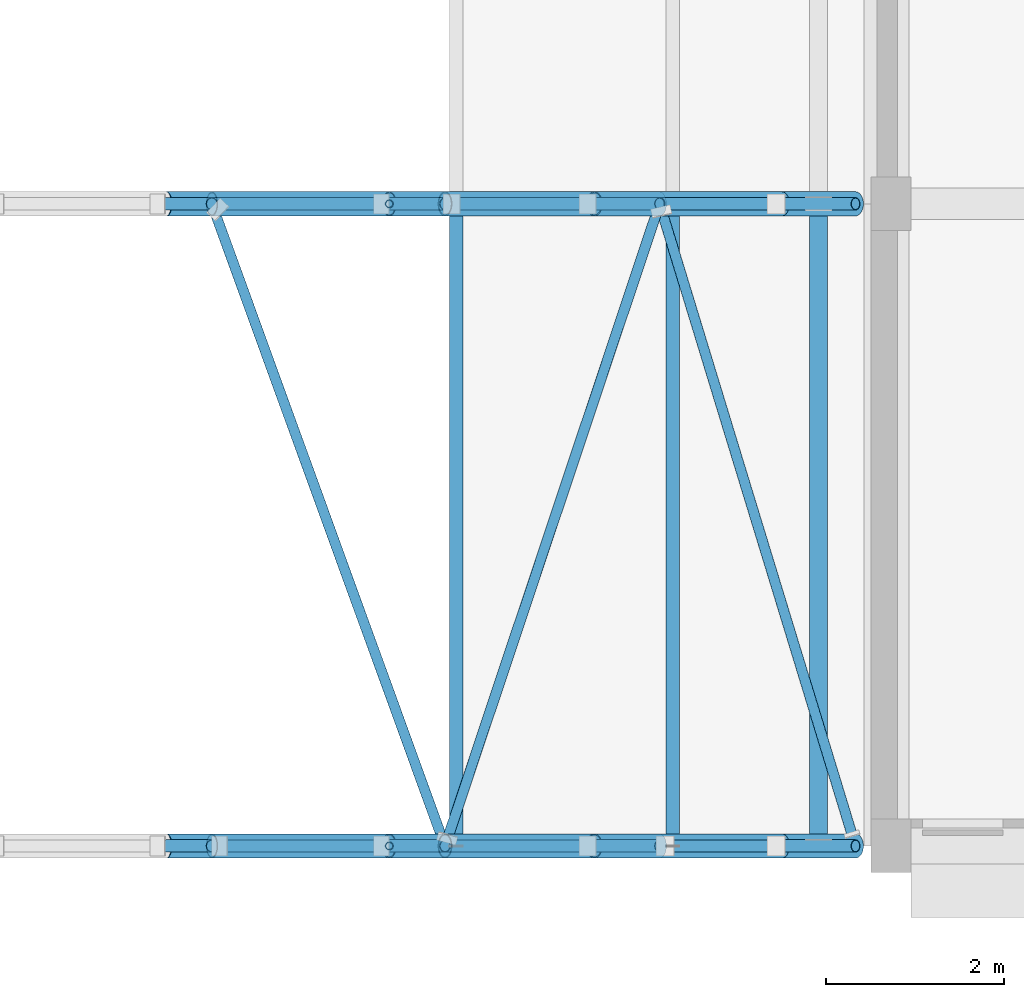
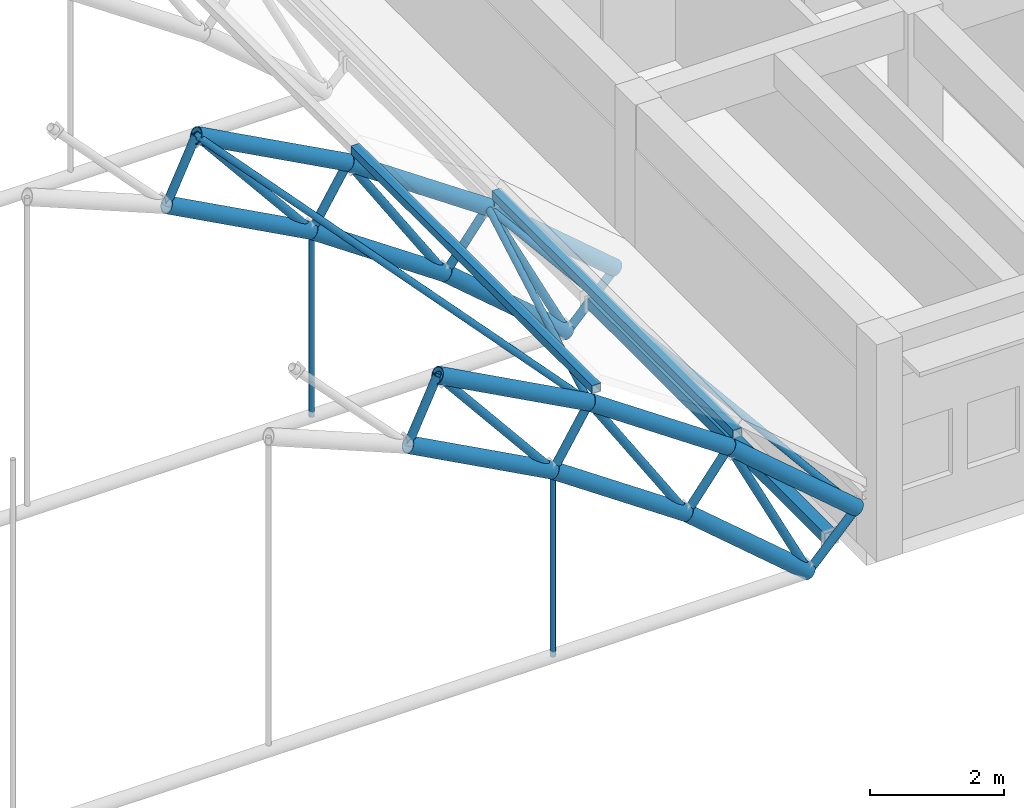
# One storey, part 19 of 101: 34 members.
"""IFC4 building model written with IfcOpenShell, lengths in metres."""

from ifc_helpers import new_model, si_unit, direction, frame, origin, origin_2d, place, context, subcontext, project, spatial, hollow_rectangle, hollow_circle, extrude, material, material_profile, profile_set, type_object, element, save


model = new_model("IFC4")

# Units and contexts
model_context = context("Model", 3, precision=1e-05, world=origin(), true_north=direction((0.0, 1.0)))
body_context = subcontext(model_context, "Body", "Model", "MODEL_VIEW")
ifc_project = project(units=[si_unit("LENGTHUNIT", "METRE"), si_unit("AREAUNIT", "SQUARE_METRE"), si_unit("VOLUMEUNIT", "CUBIC_METRE"), si_unit("PLANEANGLEUNIT", "RADIAN"), si_unit("MASSUNIT", "GRAM", prefix="KILO")], contexts=[model_context])

# Site, building, storey
site_placement = place(None, origin())
site = spatial("IfcSite", under=ifc_project, at=site_placement, CompositionType="ELEMENT")
building_placement = place(site_placement, origin())
building = spatial("IfcBuilding", under=site, at=building_placement, Name="Laocheng Heights Fire and Rescue Headquarters", CompositionType="ELEMENT")
storey_placement = place(building_placement, frame((0.0, 0.0, 8.39990234375)))
storey = spatial("IfcBuildingStorey", under=building, at=storey_placement, Name="L02", CompositionType="ELEMENT", Elevation=8.39990234375)

# Members
ifc_material_1 = material(Name="Steel Q355B", Category="steel")
ifc_material_profile_1 = material_profile(ifc_material_1, hollow_circle(Radius=0.05712890625, WallThickness=0.0048828125, at=origin_2d()), Name="CHS 114.3x5")
ifc_profile_set_1 = profile_set([ifc_material_profile_1], Name="Steel Q355B")
member_type_1 = type_object("IfcMemberType", Name="BAY ROOF BRACE CHS 114.3x5", PredefinedType="BRACE", material=ifc_profile_set_1)
member_1_placement = place(storey_placement, frame((50.22509765625, 0.0, 4.401123046875), z_axis=(-0.335760309124, 0.924461513992, 0.180654155679), x_axis=(-0.939926422139, -0.341377094962, 0.0)))
element("IfcMember", 1, at=member_1_placement, inside=storey, type_object=member_type_1, Name="Roof brace A-B panel 14", PredefinedType="BRACE", context=body_context, shape_type="SweptSolid", body=[
    extrude(hollow_circle(Radius=0.05712890625, WallThickness=0.0048828125, at=origin_2d()), origin(), (0.0, 0.0, 1.0), 7.788330078125),
])
member_2_placement = place(storey_placement, frame((50.22509765625, 0.0, 4.401123046875), z_axis=(0.309692523048, 0.926752125541, -0.212652390002), x_axis=(-0.948445041758, 0.316941639366, 0.0)))
element("IfcMember", 2, at=member_2_placement, inside=storey, type_object=member_type_1, Name="Roof brace A-B panel 15", PredefinedType="BRACE", context=body_context, shape_type="SweptSolid", body=[
    extrude(hollow_circle(Radius=0.05712890625, WallThickness=0.0048828125, at=origin_2d()), origin(), (0.0, 0.0, 1.0), 7.76904296875),
])
member_3_placement = place(storey_placement, frame((54.827880859375, 0.0, 0.869140625), z_axis=(-0.283133389877, 0.927971415967, 0.242290186936), x_axis=(-0.956470579112, -0.291828770501, 0.0)))
element("IfcMember", 3, at=member_3_placement, inside=storey, type_object=member_type_1, Name="Roof brace A-B panel 16", PredefinedType="BRACE", context=body_context, shape_type="SweptSolid", body=[
    extrude(hollow_circle(Radius=0.05712890625, WallThickness=0.0048828125, at=origin_2d()), origin(), (0.0, 0.0, 1.0), 7.7587890625),
])
ifc_material_2 = material(Name="Steel Q355B", Category="steel")
ifc_material_profile_2 = material_profile(ifc_material_2, hollow_circle(Radius=0.136474609375, WallThickness=0.011962890625, at=origin_2d()), Name="CHS 273x12")
ifc_profile_set_2 = profile_set([ifc_material_profile_2], Name="Steel Q355B")
member_type_2 = type_object("IfcMemberType", Name="BAY ROOF CHORD CHS 273x12", PredefinedType="CHORD", material=ifc_profile_set_2)
member_4_placement = place(storey_placement, frame((47.610107421875, 0.0, 5.80810546875), z_axis=(0.880624173368, 0.0, -0.473815433771), x_axis=(0.0, 1.0, 0.0)))
element("IfcMember", 4, at=member_4_placement, inside=storey, type_object=member_type_2, Name="Truss TR1 upper chord 14", PredefinedType="CHORD", context=body_context, shape_type="SweptSolid", body=[
    extrude(hollow_circle(Radius=0.136474609375, WallThickness=0.011962890625, at=origin_2d()), origin(), (0.0, 0.0, 1.0), 2.969482421875),
])
member_5_placement = place(storey_placement, frame((50.22509765625, 0.0, 4.401123046875), z_axis=(0.824366402467, 0.0, -0.566056564738), x_axis=(0.0, 1.0, 0.0)))
element("IfcMember", 5, at=member_5_placement, inside=storey, type_object=member_type_2, Name="Truss TR1 upper chord 15", PredefinedType="CHORD", context=body_context, shape_type="SweptSolid", body=[
    extrude(hollow_circle(Radius=0.136474609375, WallThickness=0.011962890625, at=origin_2d()), origin(), (0.0, 0.0, 1.0), 2.918701171875),
])
member_6_placement = place(storey_placement, frame((52.631103515625, 0.0, 2.7490234375), z_axis=(0.759780870103, 0.0, -0.650179228694), x_axis=(0.0, 1.0, 0.0)))
element("IfcMember", 6, at=member_6_placement, inside=storey, type_object=member_type_2, Name="Truss TR1 upper chord 16", PredefinedType="CHORD", context=body_context, shape_type="SweptSolid", body=[
    extrude(hollow_circle(Radius=0.136474609375, WallThickness=0.011962890625, at=origin_2d()), origin(), (0.0, 0.0, 1.0), 2.891357421875),
])
member_7_placement = place(storey_placement, frame((47.10009765625, 0.0, 4.72216796875), z_axis=(0.880645014109, 0.0, -0.473776697532), x_axis=(0.0, 1.0, 0.0)))
element("IfcMember", 7, at=member_7_placement, inside=storey, type_object=member_type_2, Name="Truss TR1 lower chord 14", PredefinedType="CHORD", context=body_context, shape_type="SweptSolid", body=[
    extrude(hollow_circle(Radius=0.136474609375, WallThickness=0.011962890625, at=origin_2d()), origin(), (0.0, 0.0, 1.0), 2.8388671875),
])
member_8_placement = place(storey_placement, frame((49.60009765625, 0.0, 3.377197265625), z_axis=(0.824378833686, 0.0, -0.566038460327), x_axis=(0.0, 1.0, 0.0)))
element("IfcMember", 8, at=member_8_placement, inside=storey, type_object=member_type_2, Name="Truss TR1 lower chord 15", PredefinedType="CHORD", context=body_context, shape_type="SweptSolid", body=[
    extrude(hollow_circle(Radius=0.136474609375, WallThickness=0.011962890625, at=origin_2d()), origin(), (0.0, 0.0, 1.0), 2.789794921875),
])
member_9_placement = place(storey_placement, frame((51.89990234375, 0.0, 1.798095703125), z_axis=(0.759611792673, 0.0, -0.650376755759), x_axis=(0.0, 1.0, 0.0)))
element("IfcMember", 9, at=member_9_placement, inside=storey, type_object=member_type_2, Name="Truss TR1 lower chord 16", PredefinedType="CHORD", context=body_context, shape_type="SweptSolid", body=[
    extrude(hollow_circle(Radius=0.136474609375, WallThickness=0.011962890625, at=origin_2d()), origin(), (0.0, 0.0, 1.0), 2.7646484375),
])
member_10_placement = place(storey_placement, frame((47.610107421875, 7.199951171875, 5.80810546875), z_axis=(0.880624173368, 0.0, -0.473815433771), x_axis=(0.0, 1.0, 0.0)))
element("IfcMember", 10, at=member_10_placement, inside=storey, type_object=member_type_2, Name="Truss TR2 upper chord 14", PredefinedType="CHORD", context=body_context, shape_type="SweptSolid", body=[
    extrude(hollow_circle(Radius=0.136474609375, WallThickness=0.011962890625, at=origin_2d()), origin(), (0.0, 0.0, 1.0), 2.969482421875),
])
member_11_placement = place(storey_placement, frame((50.22509765625, 7.199951171875, 4.401123046875), z_axis=(0.824366402467, 0.0, -0.566056564738), x_axis=(0.0, 1.0, 0.0)))
element("IfcMember", 11, at=member_11_placement, inside=storey, type_object=member_type_2, Name="Truss TR2 upper chord 15", PredefinedType="CHORD", context=body_context, shape_type="SweptSolid", body=[
    extrude(hollow_circle(Radius=0.136474609375, WallThickness=0.011962890625, at=origin_2d()), origin(), (0.0, 0.0, 1.0), 2.918701171875),
])
member_12_placement = place(storey_placement, frame((52.631103515625, 7.199951171875, 2.7490234375), z_axis=(0.759780870103, 0.0, -0.650179228694), x_axis=(0.0, 1.0, 0.0)))
element("IfcMember", 12, at=member_12_placement, inside=storey, type_object=member_type_2, Name="Truss TR2 upper chord 16", PredefinedType="CHORD", context=body_context, shape_type="SweptSolid", body=[
    extrude(hollow_circle(Radius=0.136474609375, WallThickness=0.011962890625, at=origin_2d()), origin(), (0.0, 0.0, 1.0), 2.891357421875),
])
member_13_placement = place(storey_placement, frame((47.10009765625, 7.199951171875, 4.72216796875), z_axis=(0.880645014109, 0.0, -0.473776697532), x_axis=(0.0, 1.0, 0.0)))
element("IfcMember", 13, at=member_13_placement, inside=storey, type_object=member_type_2, Name="Truss TR2 lower chord 14", PredefinedType="CHORD", context=body_context, shape_type="SweptSolid", body=[
    extrude(hollow_circle(Radius=0.136474609375, WallThickness=0.011962890625, at=origin_2d()), origin(), (0.0, 0.0, 1.0), 2.8388671875),
])
member_14_placement = place(storey_placement, frame((49.60009765625, 7.199951171875, 3.377197265625), z_axis=(0.824378833686, 0.0, -0.566038460327), x_axis=(0.0, 1.0, 0.0)))
element("IfcMember", 14, at=member_14_placement, inside=storey, type_object=member_type_2, Name="Truss TR2 lower chord 15", PredefinedType="CHORD", context=body_context, shape_type="SweptSolid", body=[
    extrude(hollow_circle(Radius=0.136474609375, WallThickness=0.011962890625, at=origin_2d()), origin(), (0.0, 0.0, 1.0), 2.789794921875),
])
member_15_placement = place(storey_placement, frame((51.89990234375, 7.199951171875, 1.798095703125), z_axis=(0.759611792673, 0.0, -0.650376755759), x_axis=(0.0, 1.0, 0.0)))
element("IfcMember", 15, at=member_15_placement, inside=storey, type_object=member_type_2, Name="Truss TR2 lower chord 16", PredefinedType="CHORD", context=body_context, shape_type="SweptSolid", body=[
    extrude(hollow_circle(Radius=0.136474609375, WallThickness=0.011962890625, at=origin_2d()), origin(), (0.0, 0.0, 1.0), 2.7646484375),
])
ifc_material_3 = material(Name="Steel Q355B", Category="steel")
ifc_material_profile_3 = material_profile(ifc_material_3, hollow_circle(Radius=0.06982421875, WallThickness=0.006103515625, at=origin_2d()), Name="CHS 139.7x6")
ifc_profile_set_3 = profile_set([ifc_material_profile_3], Name="Steel Q355B")
member_type_3 = type_object("IfcMemberType", Name="BAY ROOF DIAG CHS 139.7x6", PredefinedType="BRACE", material=ifc_profile_set_3)
member_16_placement = place(storey_placement, frame((49.60009765625, 0.0, 3.377197265625), z_axis=(-0.633440900174, 0.0, 0.773791073861), x_axis=(0.0, -1.0, 0.0)))
element("IfcMember", 16, at=member_16_placement, inside=storey, type_object=member_type_3, Name="Truss diagonal TR1-14", PredefinedType="BRACE", context=body_context, shape_type="SweptSolid", body=[
    extrude(hollow_circle(Radius=0.06982421875, WallThickness=0.006103515625, at=origin_2d()), origin(), (0.0, 0.0, 1.0), 3.1416015625),
])
member_17_placement = place(storey_placement, frame((51.89990234375, 0.0, 1.798095703125), z_axis=(-0.541084441546, 0.0, 0.840968267604), x_axis=(0.0, -1.0, 0.0)))
element("IfcMember", 17, at=member_17_placement, inside=storey, type_object=member_type_3, Name="Truss diagonal TR1-15", PredefinedType="BRACE", context=body_context, shape_type="SweptSolid", body=[
    extrude(hollow_circle(Radius=0.06982421875, WallThickness=0.006103515625, at=origin_2d()), origin(), (0.0, 0.0, 1.0), 3.09521484375),
])
member_18_placement = place(storey_placement, frame((54.0, 0.0, 0.0), z_axis=(-0.445750218044, 0.0, 0.89515738455), x_axis=(0.0, -1.0, 0.0)))
element("IfcMember", 18, at=member_18_placement, inside=storey, type_object=member_type_3, Name="Truss diagonal TR1-16", PredefinedType="BRACE", context=body_context, shape_type="SweptSolid", body=[
    extrude(hollow_circle(Radius=0.06982421875, WallThickness=0.006103515625, at=origin_2d()), origin(), (0.0, 0.0, 1.0), 3.071044921875),
])
member_19_placement = place(storey_placement, frame((49.60009765625, 7.199951171875, 3.377197265625), z_axis=(-0.633440900174, 0.0, 0.773791073861), x_axis=(0.0, -1.0, 0.0)))
element("IfcMember", 19, at=member_19_placement, inside=storey, type_object=member_type_3, Name="Truss diagonal TR2-14", PredefinedType="BRACE", context=body_context, shape_type="SweptSolid", body=[
    extrude(hollow_circle(Radius=0.06982421875, WallThickness=0.006103515625, at=origin_2d()), origin(), (0.0, 0.0, 1.0), 3.1416015625),
])
member_20_placement = place(storey_placement, frame((51.89990234375, 7.199951171875, 1.798095703125), z_axis=(-0.541084441546, 0.0, 0.840968267604), x_axis=(0.0, -1.0, 0.0)))
element("IfcMember", 20, at=member_20_placement, inside=storey, type_object=member_type_3, Name="Truss diagonal TR2-15", PredefinedType="BRACE", context=body_context, shape_type="SweptSolid", body=[
    extrude(hollow_circle(Radius=0.06982421875, WallThickness=0.006103515625, at=origin_2d()), origin(), (0.0, 0.0, 1.0), 3.09521484375),
])
member_21_placement = place(storey_placement, frame((54.0, 7.199951171875, 0.0), z_axis=(-0.445750218044, 0.0, 0.89515738455), x_axis=(0.0, -1.0, 0.0)))
element("IfcMember", 21, at=member_21_placement, inside=storey, type_object=member_type_3, Name="Truss diagonal TR2-16", PredefinedType="BRACE", context=body_context, shape_type="SweptSolid", body=[
    extrude(hollow_circle(Radius=0.06982421875, WallThickness=0.006103515625, at=origin_2d()), origin(), (0.0, 0.0, 1.0), 3.071044921875),
])
ifc_material_4 = material(Name="Steel Q355B", Category="steel")
ifc_material_profile_4 = material_profile(ifc_material_4, hollow_rectangle(XDim=0.199951171875, YDim=0.199951171875, WallThickness=0.008056640625, at=origin_2d()), Name="SHS 200x200x8")
ifc_profile_set_4 = profile_set([ifc_material_profile_4], Name="Steel Q355B")
member_type_4 = type_object("IfcMemberType", Name="BAY ROOF EAVES SHS 200x200x8", PredefinedType="STRUT", material=ifc_profile_set_4)
member_22_placement = place(storey_placement, frame((54.4140625, 0.06982421875, 0.4345703125), z_axis=(0.0, 1.0, 0.0), x_axis=(-1.0, 0.0, 0.0)))
element("IfcMember", 22, at=member_22_placement, inside=storey, type_object=member_type_4, Name="Eaves strut E1", PredefinedType="STRUT", context=body_context, shape_type="SweptSolid", body=[
    extrude(hollow_rectangle(XDim=0.199951171875, YDim=0.199951171875, WallThickness=0.008056640625, at=origin_2d()), origin(), (0.0, 0.0, 1.0), 7.060302734375),
])
ifc_material_5 = material(Name="Steel Q355B", Category="steel")
ifc_material_profile_5 = material_profile(ifc_material_5, hollow_circle(Radius=0.04443359375, WallThickness=0.0048828125, at=origin_2d()), Name="CHS 88.9x5")
ifc_profile_set_5 = profile_set([ifc_material_profile_5], Name="Steel Q355B")
member_type_5 = type_object("IfcMemberType", Name="BAY ROOF HANGER CHS 88.9x5", PredefinedType="POST", material=ifc_profile_set_5)
for number, where, z_axis, x_axis, name in (
    (23, (49.60009765625, 0.0, 0.0), (0.0, 0.0, 1.0), (1.0, 0.0, 0.0), "Truss TR1 hanger 14"),
    (24, (49.60009765625, 7.199951171875, 0.0), (0.0, 0.0, 1.0), (1.0, 0.0, 0.0), "Truss TR2 hanger 14"),
):
    element("IfcMember", number, at=place(storey_placement, frame(where, z_axis=z_axis, x_axis=x_axis)), inside=storey, type_object=member_type_5, Name=name, PredefinedType="POST", context=body_context, shape_type="SweptSolid", body=[
        extrude(hollow_circle(Radius=0.04443359375, WallThickness=0.0048828125, at=origin_2d()), origin(), (0.0, 0.0, 1.0), 3.377197265625),
    ])
ifc_material_6 = material(Name="Steel Q355B", Category="steel")
ifc_material_profile_6 = material_profile(ifc_material_6, hollow_circle(Radius=0.06982421875, WallThickness=0.006103515625, at=origin_2d()), Name="CHS 139.7x6")
ifc_profile_set_6 = profile_set([ifc_material_profile_6], Name="Steel Q355B")
member_type_6 = type_object("IfcMemberType", Name="BAY ROOF POST CHS 139.7x6", PredefinedType="POST", material=ifc_profile_set_6)
for number, where, z_axis, x_axis, name in (
    (25, (47.10009765625, 0.0, 4.72216796875), (0.425101107328, 0.0, 0.90514587142), (0.0, 1.0, 0.0), "Truss TR1 radial post 13"),
    (26, (49.60009765625, 0.0, 3.377197265625), (0.521005401076, 0.0, 0.853553379731), (0.0, 1.0, 0.0), "Truss TR1 radial post 14"),
):
    element("IfcMember", number, at=place(storey_placement, frame(where, z_axis=z_axis, x_axis=x_axis)), inside=storey, type_object=member_type_6, Name=name, PredefinedType="POST", context=body_context, shape_type="SweptSolid", body=[
        extrude(hollow_circle(Radius=0.06982421875, WallThickness=0.006103515625, at=origin_2d()), origin(), (0.0, 0.0, 1.0), 1.19970703125),
    ])
member_23_placement = place(storey_placement, frame((51.89990234375, 0.0, 1.798095703125), z_axis=(0.609563212164, 0.0, 0.792737466237), x_axis=(0.0, 1.0, 0.0)))
element("IfcMember", 27, at=member_23_placement, inside=storey, type_object=member_type_6, Name="Truss TR1 radial post 15", PredefinedType="POST", context=body_context, shape_type="SweptSolid", body=[
    extrude(hollow_circle(Radius=0.06982421875, WallThickness=0.006103515625, at=origin_2d()), origin(), (0.0, 0.0, 1.0), 1.199462890625),
])
member_24_placement = place(storey_placement, frame((54.0, 0.0, 0.0), z_axis=(0.689711037364, 0.0, 0.72408472221), x_axis=(0.0, 1.0, 0.0)))
element("IfcMember", 28, at=member_24_placement, inside=storey, type_object=member_type_6, Name="Truss TR1 radial post 16", PredefinedType="POST", context=body_context, shape_type="SweptSolid", body=[
    extrude(hollow_circle(Radius=0.06982421875, WallThickness=0.006103515625, at=origin_2d()), origin(), (0.0, 0.0, 1.0), 1.200439453125),
])
for number, where, z_axis, x_axis, name in (
    (29, (47.10009765625, 7.199951171875, 4.72216796875), (0.425101107328, 0.0, 0.90514587142), (0.0, 1.0, 0.0), "Truss TR2 radial post 13"),
    (30, (49.60009765625, 7.199951171875, 3.377197265625), (0.521005401076, 0.0, 0.853553379731), (0.0, 1.0, 0.0), "Truss TR2 radial post 14"),
):
    element("IfcMember", number, at=place(storey_placement, frame(where, z_axis=z_axis, x_axis=x_axis)), inside=storey, type_object=member_type_6, Name=name, PredefinedType="POST", context=body_context, shape_type="SweptSolid", body=[
        extrude(hollow_circle(Radius=0.06982421875, WallThickness=0.006103515625, at=origin_2d()), origin(), (0.0, 0.0, 1.0), 1.19970703125),
    ])
member_25_placement = place(storey_placement, frame((51.89990234375, 7.199951171875, 1.798095703125), z_axis=(0.609563212164, 0.0, 0.792737466237), x_axis=(0.0, 1.0, 0.0)))
element("IfcMember", 31, at=member_25_placement, inside=storey, type_object=member_type_6, Name="Truss TR2 radial post 15", PredefinedType="POST", context=body_context, shape_type="SweptSolid", body=[
    extrude(hollow_circle(Radius=0.06982421875, WallThickness=0.006103515625, at=origin_2d()), origin(), (0.0, 0.0, 1.0), 1.199462890625),
])
member_26_placement = place(storey_placement, frame((54.0, 7.199951171875, 0.0), z_axis=(0.689711037364, 0.0, 0.72408472221), x_axis=(0.0, 1.0, 0.0)))
element("IfcMember", 32, at=member_26_placement, inside=storey, type_object=member_type_6, Name="Truss TR2 radial post 16", PredefinedType="POST", context=body_context, shape_type="SweptSolid", body=[
    extrude(hollow_circle(Radius=0.06982421875, WallThickness=0.006103515625, at=origin_2d()), origin(), (0.0, 0.0, 1.0), 1.200439453125),
])
ifc_material_7 = material(Name="Steel Q355B", Category="steel")
ifc_material_profile_7 = material_profile(ifc_material_7, hollow_rectangle(XDim=0.14990234375, YDim=0.14990234375, WallThickness=0.008056640625, at=origin_2d()), Name="SHS 150x150x8")
ifc_profile_set_7 = profile_set([ifc_material_profile_7], Name="Steel Q355B")
member_type_7 = type_object("IfcMemberType", Name="BAY ROOF PURLIN SHS 150x150x8", PredefinedType="PURLIN", material=ifc_profile_set_7)
for number, where, z_axis, x_axis, name in (
    (33, (50.35009765625, 0.0, 4.60595703125), (0.0, 1.0, 0.0), (-1.0, 0.0, 0.0), "Purlin 15.1"),
    (34, (52.778564453125, 0.0, 2.941162109375), (0.0, 1.0, 0.0), (-1.0, 0.0, 0.0), "Purlin 16.1"),
):
    element("IfcMember", number, at=place(storey_placement, frame(where, z_axis=z_axis, x_axis=x_axis)), inside=storey, type_object=member_type_7, Name=name, PredefinedType="PURLIN", context=body_context, shape_type="SweptSolid", body=[
        extrude(hollow_rectangle(XDim=0.14990234375, YDim=0.14990234375, WallThickness=0.008056640625, at=origin_2d()), origin(), (0.0, 0.0, 1.0), 7.199951171875),
    ])

save(model, "model.ifc")
